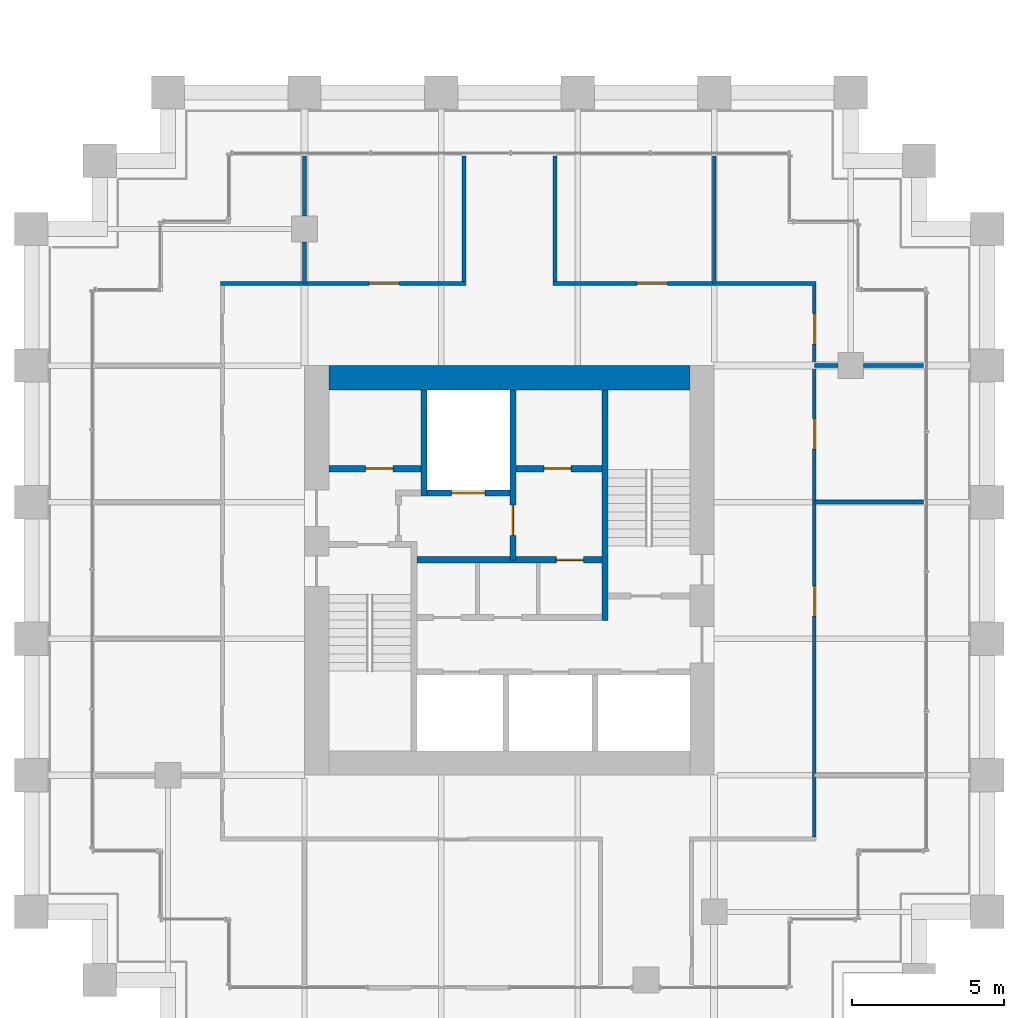
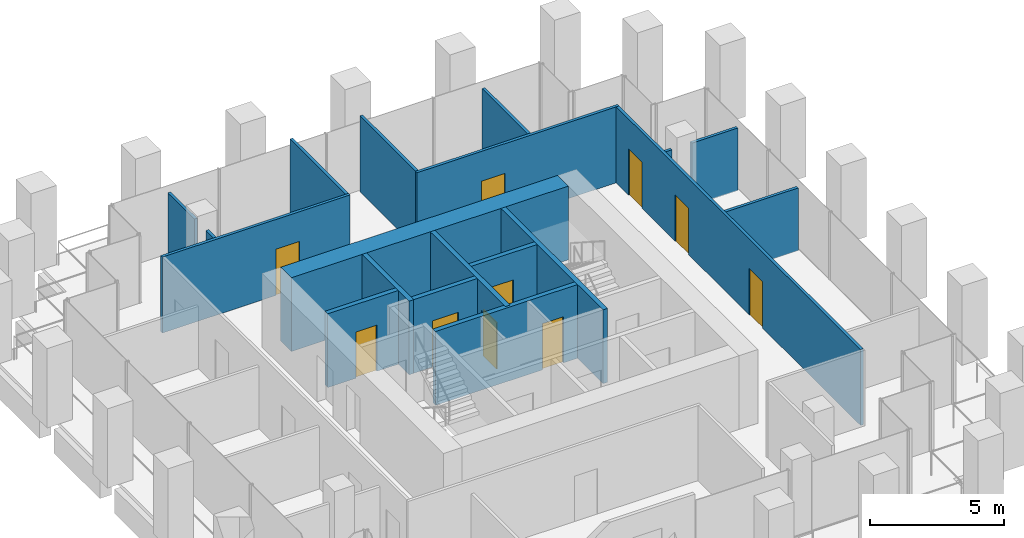
# One storey, part 53 of 56: 19 walls, 10 doors, 10 openings.
"""IFC4 building model written with IfcOpenShell, lengths in metres."""

from ifc_helpers import new_model, si_unit, direction, frame, frame_2d, origin, place, context, subcontext, project, spatial, rectangle, extrude, material, layer, layer_set, type_object, element, fill, save


model = new_model("IFC4")

# Units and contexts
model_context = context("Model", 3, precision=1e-05, world=origin(), true_north=direction((0.0, 1.0)))
body_context = subcontext(model_context, "Body", "Model", "MODEL_VIEW")
ifc_project = project(units=[si_unit("LENGTHUNIT", "METRE"), si_unit("AREAUNIT", "SQUARE_METRE"), si_unit("VOLUMEUNIT", "CUBIC_METRE"), si_unit("PLANEANGLEUNIT", "RADIAN"), si_unit("MASSUNIT", "GRAM", prefix="KILO")], contexts=[model_context])

# Site, building, storey
site_placement = place(None, origin())
site = spatial("IfcSite", under=ifc_project, at=site_placement, CompositionType="ELEMENT")
building_placement = place(site_placement, origin())
building = spatial("IfcBuilding", under=site, at=building_placement, Name="Altepetl Exchange Towers", CompositionType="ELEMENT")
storey_placement = place(building_placement, frame((0.0, 0.0, 51.0)))
storey = spatial("IfcBuildingStorey", under=building, at=storey_placement, Name="L11", CompositionType="ELEMENT", Elevation=51.0)

# Wall
ifc_material_1 = material(Name="Concrete C70/85", Category="concrete")
ifc_layer_1 = layer(ifc_material_1, 0.800048828125)
ifc_layer_set_1 = layer_set([ifc_layer_1], Name="Concrete C70/85")
wall_type_1 = type_object("IfcWallType", Name="Core wall 800 reinforced concrete", PredefinedType="SHEAR", material=ifc_layer_set_1)
wall_1_placement = place(storey_placement, frame((104.300048828125, 49.10009765625, 0.0)))
element("IfcWall", 1, at=wall_1_placement, inside=storey, type_object=wall_type_1, Name="wall:B:L11:K-coreN", PredefinedType="SHEAR", context=body_context, shape_type="SweptSolid", body=[
    extrude(rectangle(XDim=11.89990234375, YDim=0.800048828125, at=frame_2d((5.949951171875, 0.0))), origin(), (0.0, 0.0, 1.0), 3.35009765625),
])

# Wall, opening, door
ifc_material_2 = material(Name="Concrete blockwork", Category="masonry")
ifc_layer_2 = layer(ifc_material_2, 0.199951171875)
ifc_layer_set_2 = layer_set([ifc_layer_2], Name="Concrete blockwork")
wall_type_2 = type_object("IfcWallType", Name="Lobby wall 200 blockwork", PredefinedType="PARTITIONING", material=ifc_layer_set_2)
wall_2_placement = place(storey_placement, frame((107.199951171875, 43.10009765625, 0.0)))
wall_2 = element("IfcWall", 2, at=wall_2_placement, inside=storey, type_object=wall_type_2, Name="wall:B:L11:K-zoneN", PredefinedType="PARTITIONING", context=body_context, shape_type="SweptSolid", body=[
    extrude(rectangle(XDim=6.10009765625, YDim=0.199951171875, at=frame_2d((3.050048828125, 0.0))), origin(), (0.0, 0.0, 1.0), 3.35009765625),
])
opening_1_placement = place(wall_2_placement, frame((4.60009765625, 0.0, 0.0)))
opening_1 = element("IfcOpeningElement", 3, at=opening_1_placement, cuts=wall_2, Name="Opening L11.B72", PredefinedType="OPENING", context=body_context, shape_type="SweptSolid", body=[
    extrude(rectangle(XDim=0.89990234375, YDim=2.10009765625, at=frame_2d((0.449951171875, 1.050048828125))), frame((0.0, 0.10986328125, 0.0), z_axis=(0.0, -1.0, 0.0), x_axis=(1.0, 0.0, 0.0)), (0.0, 0.0, 1.0), 0.219970703125),
])
ifc_material_3 = material(Name="Steel and timber fire door", Category="steel")
door_type_1 = type_object("IfcDoorType", Name="Fire door 900 x 2100 service room", OperationType="SINGLE_SWING_LEFT", PredefinedType="DOOR", material=ifc_material_3)
door_1_placement = place(opening_1_placement, frame((0.89990234375, 0.0, 0.0), x_axis=(-1.0, 0.0, 0.0)))
door_1 = element("IfcDoor", 4, at=door_1_placement, inside=storey, type_object=door_type_1, Name="door:B:L11:K-dz3", OperationType="SINGLE_SWING_LEFT", OverallHeight=2.10009765625, OverallWidth=0.89990234375, PredefinedType="DOOR", context=body_context, shape_type="SweptSolid", body=[
    extrude(rectangle(XDim=0.89990234375, YDim=2.10009765625, at=frame_2d((0.449951171875, 1.050048828125))), frame((0.0, 0.02490234375, 0.0), z_axis=(0.0, -1.0, 0.0), x_axis=(1.0, 0.0, 0.0)), (0.0, 0.0, 1.0), 0.050048828125),
])
fill(opening_1, door_1)

# Walls
ifc_material_4 = material(Name="Gypsum board on steel studs", Category="steel")
ifc_layer_3 = layer(ifc_material_4, 0.125)
ifc_layer_set_3 = layer_set([ifc_layer_3], Name="Gypsum board on steel studs")
wall_type_3 = type_object("IfcWallType", Name="Partition 125 gypsum board on steel studs", PredefinedType="PARTITIONING", material=ifc_layer_set_3)
wall_3_placement = place(storey_placement, frame((120.300048828125, 45.0, 0.0)))
element("IfcWall", 5, at=wall_3_placement, inside=storey, type_object=wall_type_3, Name="wall:B:L11:P08", PredefinedType="PARTITIONING", context=body_context, shape_type="SweptSolid", body=[
    extrude(rectangle(XDim=3.599853515625, YDim=0.125, at=frame_2d((1.7998046875, 0.0))), origin(), (0.0, 0.0, 1.0), 2.85107421875),
])
wall_4_placement = place(storey_placement, frame((120.300048828125, 49.5, 0.0)))
element("IfcWall", 6, at=wall_4_placement, inside=storey, type_object=wall_type_3, Name="wall:B:L11:P10", PredefinedType="PARTITIONING", context=body_context, shape_type="SweptSolid", body=[
    extrude(rectangle(XDim=0.77490234375, YDim=0.125, at=frame_2d((0.387451171875, 0.0))), origin(), (0.0, 0.0, 1.0), 2.842041015625),
])
wall_5_placement = place(storey_placement, frame((121.925048828125, 49.5, 0.0)))
element("IfcWall", 7, at=wall_5_placement, inside=storey, type_object=wall_type_3, Name="wall:B:L11:P11", PredefinedType="PARTITIONING", context=body_context, shape_type="SweptSolid", body=[
    extrude(rectangle(XDim=1.974853515625, YDim=0.125, at=frame_2d((0.9873046875, 0.0))), origin(), (0.0, 0.0, 1.0), 2.842041015625),
])

# Wall, opening, door
wall_6_placement = place(storey_placement, frame((100.737548828125, 52.199951171875, 0.0)))
wall_6 = element("IfcWall", 8, at=wall_6_placement, inside=storey, type_object=wall_type_3, Name="wall:B:L11:P12", PredefinedType="PARTITIONING", context=body_context, shape_type="SweptSolid", body=[
    extrude(rectangle(XDim=8.074951171875, YDim=0.125, at=frame_2d((4.03759765625, 0.0))), origin(), (0.0, 0.0, 1.0), 3.449951171875),
])
opening_2_placement = place(wall_6_placement, frame((4.887451171875, 0.0, 0.0)))
opening_2 = element("IfcOpeningElement", 9, at=opening_2_placement, cuts=wall_6, Name="Opening L11.B10", PredefinedType="OPENING", context=body_context, shape_type="SweptSolid", body=[
    extrude(rectangle(XDim=1.0, YDim=2.10009765625, at=frame_2d((0.5, 1.050048828125))), frame((0.0, 0.072509765625, 0.0), z_axis=(0.0, -1.0, 0.0), x_axis=(1.0, 0.0, 0.0)), (0.0, 0.0, 1.0), 0.14501953125),
])
door_type_2 = type_object("IfcDoorType", Name="Fire door 1000 x 2100 single leaf", OperationType="SINGLE_SWING_LEFT", PredefinedType="DOOR", material=ifc_material_3)
door_2_placement = place(opening_2_placement, origin())
door_2 = element("IfcDoor", 10, at=door_2_placement, inside=storey, type_object=door_type_2, Name="door:B:L11:10", OperationType="SINGLE_SWING_LEFT", OverallHeight=2.10009765625, OverallWidth=1.0, PredefinedType="DOOR", context=body_context, shape_type="SweptSolid", body=[
    extrude(rectangle(XDim=1.0, YDim=2.10009765625, at=frame_2d((0.5, 1.050048828125))), frame((0.0, 0.02490234375, 0.0), z_axis=(0.0, -1.0, 0.0), x_axis=(1.0, 0.0, 0.0)), (0.0, 0.0, 1.0), 0.050048828125),
])
fill(opening_2, door_2)

wall_7_placement = place(storey_placement, frame((111.6875, 52.199951171875, 0.0)))
wall_7 = element("IfcWall", 11, at=wall_7_placement, inside=storey, type_object=wall_type_3, Name="wall:B:L11:P13", PredefinedType="PARTITIONING", context=body_context, shape_type="SweptSolid", body=[
    extrude(rectangle(XDim=8.675048828125, YDim=0.125, at=frame_2d((4.33740234375, 0.0))), origin(), (0.0, 0.0, 1.0), 3.449951171875),
])
opening_3_placement = place(wall_7_placement, frame((2.7734375, 0.0, 0.0)))
opening_3 = element("IfcOpeningElement", 12, at=opening_3_placement, cuts=wall_7, Name="Opening L11.B09", PredefinedType="OPENING", context=body_context, shape_type="SweptSolid", body=[
    extrude(rectangle(XDim=1.0, YDim=2.10009765625, at=frame_2d((0.5, 1.050048828125))), frame((0.0, 0.072509765625, 0.0), z_axis=(0.0, -1.0, 0.0), x_axis=(1.0, 0.0, 0.0)), (0.0, 0.0, 1.0), 0.14501953125),
])
door_3_placement = place(opening_3_placement, origin())
door_3 = element("IfcDoor", 13, at=door_3_placement, inside=storey, type_object=door_type_2, Name="door:B:L11:09", OperationType="SINGLE_SWING_RIGHT", OverallHeight=2.10009765625, OverallWidth=1.0, PredefinedType="DOOR", context=body_context, shape_type="SweptSolid", body=[
    extrude(rectangle(XDim=1.0, YDim=2.10009765625, at=frame_2d((0.5, 1.050048828125))), frame((0.0, 0.02490234375, 0.0), z_axis=(0.0, -1.0, 0.0), x_axis=(1.0, 0.0, 0.0)), (0.0, 0.0, 1.0), 0.050048828125),
])
fill(opening_3, door_3)

# Walls
wall_8_placement = place(storey_placement, frame((103.5, 52.199951171875, 0.0), z_axis=(0.0, 0.0, 1.0), x_axis=(0.0, 1.0, 0.0)))
element("IfcWall", 14, at=wall_8_placement, inside=storey, type_object=wall_type_3, Name="wall:B:L11:P16", PredefinedType="PARTITIONING", context=body_context, shape_type="SweptSolid", body=[
    extrude(rectangle(XDim=1.375, YDim=0.125, at=frame_2d((0.6875, 0.0))), origin(), (0.0, 0.0, 1.0), 2.842041015625),
])
wall_9_placement = place(storey_placement, frame((103.5, 54.425048828125, 0.0), z_axis=(0.0, 0.0, 1.0), x_axis=(0.0, 1.0, 0.0)))
element("IfcWall", 15, at=wall_9_placement, inside=storey, type_object=wall_type_3, Name="wall:B:L11:P17", PredefinedType="PARTITIONING", context=body_context, shape_type="SweptSolid", body=[
    extrude(rectangle(XDim=1.974853515625, YDim=0.125, at=frame_2d((0.9873046875, 0.0))), origin(), (0.0, 0.0, 1.0), 2.842041015625),
])
for number, where, z_axis, x_axis, name in (
    (16, (108.75, 52.262451171875, 0.0), (0.0, 0.0, 1.0), (0.0, 1.0, 0.0), "wall:B:L11:P18"),
    (17, (111.75, 52.262451171875, 0.0), (0.0, 0.0, 1.0), (0.0, 1.0, 0.0), "wall:B:L11:P19"),
):
    element("IfcWall", number, at=place(storey_placement, frame(where, z_axis=z_axis, x_axis=x_axis)), inside=storey, type_object=wall_type_3, Name=name, PredefinedType="PARTITIONING", context=body_context, shape_type="SweptSolid", body=[
        extrude(rectangle(XDim=4.137451171875, YDim=0.125, at=frame_2d((2.06884765625, 0.0))), origin(), (0.0, 0.0, 1.0), 3.449951171875),
    ])
wall_10_placement = place(storey_placement, frame((117.0, 52.199951171875, 0.0), z_axis=(0.0, 0.0, 1.0), x_axis=(0.0, 1.0, 0.0)))
element("IfcWall", 18, at=wall_10_placement, inside=storey, type_object=wall_type_3, Name="wall:B:L11:P22", PredefinedType="PARTITIONING", context=body_context, shape_type="SweptSolid", body=[
    extrude(rectangle(XDim=4.199951171875, YDim=0.125, at=frame_2d((2.10009765625, 0.0))), origin(), (0.0, 0.0, 1.0), 2.85107421875),
])

# Wall, openings, doors
wall_11_placement = place(storey_placement, frame((120.300048828125, 33.96240234375, 0.0), z_axis=(0.0, 0.0, 1.0), x_axis=(0.0, 1.0, 0.0)))
wall_11 = element("IfcWall", 19, at=wall_11_placement, inside=storey, type_object=wall_type_3, Name="wall:B:L11:P23", PredefinedType="PARTITIONING", context=body_context, shape_type="SweptSolid", body=[
    extrude(rectangle(XDim=18.175048828125, YDim=0.125, at=frame_2d((9.08740234375, 0.0))), origin(), (0.0, 0.0, 1.0), 3.449951171875),
])
opening_4_placement = place(wall_11_placement, frame((7.279541015625, 0.0, 0.0)))
opening_4 = element("IfcOpeningElement", 20, at=opening_4_placement, cuts=wall_11, Name="Opening L11.B06", PredefinedType="OPENING", context=body_context, shape_type="SweptSolid", body=[
    extrude(rectangle(XDim=1.0, YDim=2.10009765625, at=frame_2d((0.5, 1.050048828125))), frame((0.0, 0.072509765625, 0.0), z_axis=(0.0, -1.0, 0.0), x_axis=(1.0, 0.0, 0.0)), (0.0, 0.0, 1.0), 0.14501953125),
])
opening_5_placement = place(wall_11_placement, frame((12.78759765625, 0.0, 0.0)))
opening_5 = element("IfcOpeningElement", 21, at=opening_5_placement, cuts=wall_11, Name="Opening L11.B07", PredefinedType="OPENING", context=body_context, shape_type="SweptSolid", body=[
    extrude(rectangle(XDim=1.0, YDim=2.10009765625, at=frame_2d((0.5, 1.050048828125))), frame((0.0, 0.072509765625, 0.0), z_axis=(0.0, -1.0, 0.0), x_axis=(1.0, 0.0, 0.0)), (0.0, 0.0, 1.0), 0.14501953125),
])
opening_6_placement = place(wall_11_placement, frame((16.24755859375, 0.0, 0.0)))
opening_6 = element("IfcOpeningElement", 22, at=opening_6_placement, cuts=wall_11, Name="Opening L11.B08", PredefinedType="OPENING", context=body_context, shape_type="SweptSolid", body=[
    extrude(rectangle(XDim=1.0, YDim=2.10009765625, at=frame_2d((0.5, 1.050048828125))), frame((0.0, 0.072509765625, 0.0), z_axis=(0.0, -1.0, 0.0), x_axis=(1.0, 0.0, 0.0)), (0.0, 0.0, 1.0), 0.14501953125),
])
door_4_placement = place(opening_4_placement, frame((1.0, 0.0, 0.0), x_axis=(-1.0, 0.0, 0.0)))
door_4 = element("IfcDoor", 23, at=door_4_placement, inside=storey, type_object=door_type_2, Name="door:B:L11:06", OperationType="SINGLE_SWING_LEFT", OverallHeight=2.10009765625, OverallWidth=1.0, PredefinedType="DOOR", context=body_context, shape_type="SweptSolid", body=[
    extrude(rectangle(XDim=1.0, YDim=2.10009765625, at=frame_2d((0.5, 1.050048828125))), frame((0.0, 0.02490234375, 0.0), z_axis=(0.0, -1.0, 0.0), x_axis=(1.0, 0.0, 0.0)), (0.0, 0.0, 1.0), 0.050048828125),
])
fill(opening_4, door_4)
door_5_placement = place(opening_5_placement, frame((1.0, 0.0, 0.0), x_axis=(-1.0, 0.0, 0.0)))
door_5 = element("IfcDoor", 24, at=door_5_placement, inside=storey, type_object=door_type_2, Name="door:B:L11:07", OperationType="SINGLE_SWING_LEFT", OverallHeight=2.10009765625, OverallWidth=1.0, PredefinedType="DOOR", context=body_context, shape_type="SweptSolid", body=[
    extrude(rectangle(XDim=1.0, YDim=2.10009765625, at=frame_2d((0.5, 1.050048828125))), frame((0.0, 0.02490234375, 0.0), z_axis=(0.0, -1.0, 0.0), x_axis=(1.0, 0.0, 0.0)), (0.0, 0.0, 1.0), 0.050048828125),
])
fill(opening_5, door_5)
door_6_placement = place(opening_6_placement, origin())
door_6 = element("IfcDoor", 25, at=door_6_placement, inside=storey, type_object=door_type_2, Name="door:B:L11:08", OperationType="SINGLE_SWING_RIGHT", OverallHeight=2.10009765625, OverallWidth=1.0, PredefinedType="DOOR", context=body_context, shape_type="SweptSolid", body=[
    extrude(rectangle(XDim=1.0, YDim=2.10009765625, at=frame_2d((0.5, 1.050048828125))), frame((0.0, 0.02490234375, 0.0), z_axis=(0.0, -1.0, 0.0), x_axis=(1.0, 0.0, 0.0)), (0.0, 0.0, 1.0), 0.050048828125),
])
fill(opening_6, door_6)

# Wall
ifc_material_5 = material(Name="Concrete C40/50", Category="concrete")
ifc_layer_4 = layer(ifc_material_5, 0.199951171875)
ifc_layer_set_4 = layer_set([ifc_layer_4], Name="Concrete C40/50")
wall_type_4 = type_object("IfcWallType", Name="Shaft wall 200 reinforced concrete", PredefinedType="SHEAR", material=ifc_layer_set_4)
wall_12_placement = place(storey_placement, frame((107.433349609375, 48.699951171875, 0.0), z_axis=(0.0, 0.0, 1.0), x_axis=(0.0, -1.0, 0.0)))
element("IfcWall", 26, at=wall_12_placement, inside=storey, type_object=wall_type_4, Name="wall:B:L11:K-divN1", PredefinedType="SHEAR", context=body_context, shape_type="SweptSolid", body=[
    extrude(rectangle(XDim=3.5, YDim=0.199951171875, at=frame_2d((1.75, 0.0))), origin(), (0.0, 0.0, 1.0), 3.35009765625),
])

# Wall, opening, door
wall_13_placement = place(storey_placement, frame((110.36669921875, 48.699951171875, 0.0), z_axis=(0.0, 0.0, 1.0), x_axis=(0.0, -1.0, 0.0)))
wall_13 = element("IfcWall", 27, at=wall_13_placement, inside=storey, type_object=wall_type_4, Name="wall:B:L11:K-divN2", PredefinedType="SHEAR", context=body_context, shape_type="SweptSolid", body=[
    extrude(rectangle(XDim=5.599853515625, YDim=0.199951171875, at=frame_2d((2.7998046875, 0.0))), origin(), (0.0, 0.0, 1.0), 3.35009765625),
])
opening_7_placement = place(wall_13_placement, frame((3.800048828125, 0.0, 0.0)))
opening_7 = element("IfcOpeningElement", 28, at=opening_7_placement, cuts=wall_13, Name="Opening L11.B66", PredefinedType="OPENING", context=body_context, shape_type="SweptSolid", body=[
    extrude(rectangle(XDim=1.0, YDim=2.10009765625, at=frame_2d((0.5, 1.050048828125))), frame((0.0, 0.10986328125, 0.0), z_axis=(0.0, -1.0, 0.0), x_axis=(1.0, 0.0, 0.0)), (0.0, 0.0, 1.0), 0.219970703125),
])
door_type_3 = type_object("IfcDoorType", Name="Fire door 1000 x 2100 stair and lobby", OperationType="SINGLE_SWING_LEFT", PredefinedType="DOOR", material=ifc_material_3)
door_7_placement = place(opening_7_placement, frame((1.0, 0.0, 0.0), x_axis=(-1.0, 0.0, 0.0)))
door_7 = element("IfcDoor", 29, at=door_7_placement, inside=storey, type_object=door_type_3, Name="door:B:L11:K-dffE", OperationType="SINGLE_SWING_RIGHT", OverallHeight=2.10009765625, OverallWidth=1.0, PredefinedType="DOOR", context=body_context, shape_type="SweptSolid", body=[
    extrude(rectangle(XDim=1.0, YDim=2.10009765625, at=frame_2d((0.5, 1.050048828125))), frame((0.0, 0.02490234375, 0.0), z_axis=(0.0, -1.0, 0.0), x_axis=(1.0, 0.0, 0.0)), (0.0, 0.0, 1.0), 0.050048828125),
])
fill(opening_7, door_7)

wall_14_placement = place(storey_placement, frame((104.300048828125, 46.10009765625, 0.0)))
wall_14 = element("IfcWall", 30, at=wall_14_placement, inside=storey, type_object=wall_type_4, Name="wall:B:L11:K-frontNa", PredefinedType="SHEAR", context=body_context, shape_type="SweptSolid", body=[
    extrude(rectangle(XDim=3.033203125, YDim=0.199951171875, at=frame_2d((1.5166015625, 0.0))), origin(), (0.0, 0.0, 1.0), 3.35009765625),
])
opening_8_placement = place(wall_14_placement, frame((1.216796875, 0.0, 0.0)))
opening_8 = element("IfcOpeningElement", 31, at=opening_8_placement, cuts=wall_14, Name="Opening L11.B68", PredefinedType="OPENING", context=body_context, shape_type="SweptSolid", body=[
    extrude(rectangle(XDim=0.89990234375, YDim=2.10009765625, at=frame_2d((0.449951171875, 1.050048828125))), frame((0.0, 0.10986328125, 0.0), z_axis=(0.0, -1.0, 0.0), x_axis=(1.0, 0.0, 0.0)), (0.0, 0.0, 1.0), 0.219970703125),
])
door_8_placement = place(opening_8_placement, origin())
door_8 = element("IfcDoor", 32, at=door_8_placement, inside=storey, type_object=door_type_1, Name="door:B:L11:K-dslotN0", OperationType="SINGLE_SWING_RIGHT", OverallHeight=2.10009765625, OverallWidth=0.89990234375, PredefinedType="DOOR", context=body_context, shape_type="SweptSolid", body=[
    extrude(rectangle(XDim=0.89990234375, YDim=2.10009765625, at=frame_2d((0.449951171875, 1.050048828125))), frame((0.0, 0.02490234375, 0.0), z_axis=(0.0, -1.0, 0.0), x_axis=(1.0, 0.0, 0.0)), (0.0, 0.0, 1.0), 0.050048828125),
])
fill(opening_8, door_8)

wall_15_placement = place(storey_placement, frame((110.466796875, 46.10009765625, 0.0)))
wall_15 = element("IfcWall", 33, at=wall_15_placement, inside=storey, type_object=wall_type_4, Name="wall:B:L11:K-frontNb", PredefinedType="SHEAR", context=body_context, shape_type="SweptSolid", body=[
    extrude(rectangle(XDim=2.833251953125, YDim=0.199951171875, at=frame_2d((1.41650390625, 0.0))), origin(), (0.0, 0.0, 1.0), 3.35009765625),
])
opening_9_placement = place(wall_15_placement, frame((0.91650390625, 0.0, 0.0)))
opening_9 = element("IfcOpeningElement", 34, at=opening_9_placement, cuts=wall_15, Name="Opening L11.B69", PredefinedType="OPENING", context=body_context, shape_type="SweptSolid", body=[
    extrude(rectangle(XDim=0.89990234375, YDim=2.10009765625, at=frame_2d((0.449951171875, 1.050048828125))), frame((0.0, 0.10986328125, 0.0), z_axis=(0.0, -1.0, 0.0), x_axis=(1.0, 0.0, 0.0)), (0.0, 0.0, 1.0), 0.219970703125),
])
door_9_placement = place(opening_9_placement, origin())
door_9 = element("IfcDoor", 35, at=door_9_placement, inside=storey, type_object=door_type_1, Name="door:B:L11:K-dslotN2", OperationType="SINGLE_SWING_RIGHT", OverallHeight=2.10009765625, OverallWidth=0.89990234375, PredefinedType="DOOR", context=body_context, shape_type="SweptSolid", body=[
    extrude(rectangle(XDim=0.89990234375, YDim=2.10009765625, at=frame_2d((0.449951171875, 1.050048828125))), frame((0.0, 0.02490234375, 0.0), z_axis=(0.0, -1.0, 0.0), x_axis=(1.0, 0.0, 0.0)), (0.0, 0.0, 1.0), 0.050048828125),
])
fill(opening_9, door_9)

wall_16_placement = place(storey_placement, frame((107.533203125, 45.300048828125, 0.0)))
wall_16 = element("IfcWall", 36, at=wall_16_placement, inside=storey, type_object=wall_type_4, Name="wall:B:L11:K-frontNd", PredefinedType="SHEAR", context=body_context, shape_type="SweptSolid", body=[
    extrude(rectangle(XDim=2.7333984375, YDim=0.199951171875, at=frame_2d((1.36669921875, 0.0))), origin(), (0.0, 0.0, 1.0), 3.35009765625),
])
opening_10_placement = place(wall_16_placement, frame((0.816650390625, 0.0, 0.0)))
opening_10 = element("IfcOpeningElement", 37, at=opening_10_placement, cuts=wall_16, Name="Opening L11.B73", PredefinedType="OPENING", context=body_context, shape_type="SweptSolid", body=[
    extrude(rectangle(XDim=1.10009765625, YDim=2.10009765625, at=frame_2d((0.550048828125, 1.050048828125))), frame((0.0, 0.10986328125, 0.0), z_axis=(0.0, -1.0, 0.0), x_axis=(1.0, 0.0, 0.0)), (0.0, 0.0, 1.0), 0.219970703125),
])
ifc_material_6 = material(Name="Stainless steel", Category="steel")
door_type_4 = type_object("IfcDoorType", Name="Lift landing door 1100 x 2100", OperationType="SLIDING_TO_LEFT", PredefinedType="DOOR", material=ifc_material_6)
door_10_placement = place(opening_10_placement, origin())
door_10 = element("IfcDoor", 38, at=door_10_placement, inside=storey, type_object=door_type_4, Name="Landing door FFL1", OperationType="SLIDING_TO_LEFT", OverallHeight=2.10009765625, OverallWidth=1.10009765625, PredefinedType="DOOR", context=body_context, shape_type="SweptSolid", body=[
    extrude(rectangle(XDim=1.10009765625, YDim=2.10009765625, at=frame_2d((0.550048828125, 1.050048828125))), frame((0.0, 0.02490234375, 0.0), z_axis=(0.0, -1.0, 0.0), x_axis=(1.0, 0.0, 0.0)), (0.0, 0.0, 1.0), 0.050048828125),
])
fill(opening_10, door_10)

# Wall
ifc_layer_5 = layer(ifc_material_5, 0.199951171875)
ifc_layer_set_5 = layer_set([ifc_layer_5], Name="Concrete C40/50")
wall_type_5 = type_object("IfcWallType", Name="Stair wall 200 reinforced concrete", PredefinedType="SHEAR", material=ifc_layer_set_5)
wall_17_placement = place(storey_placement, frame((113.39990234375, 41.10009765625, 0.0), z_axis=(0.0, 0.0, 1.0), x_axis=(0.0, 1.0, 0.0)))
element("IfcWall", 39, at=wall_17_placement, inside=storey, type_object=wall_type_5, Name="wall:B:L11:K-stS2W", PredefinedType="SHEAR", context=body_context, shape_type="SweptSolid", body=[
    extrude(rectangle(XDim=7.599853515625, YDim=0.199951171875, at=frame_2d((3.7998046875, 0.0))), origin(), (0.0, 0.0, 1.0), 3.35009765625),
])

save(model, "model.ifc")
